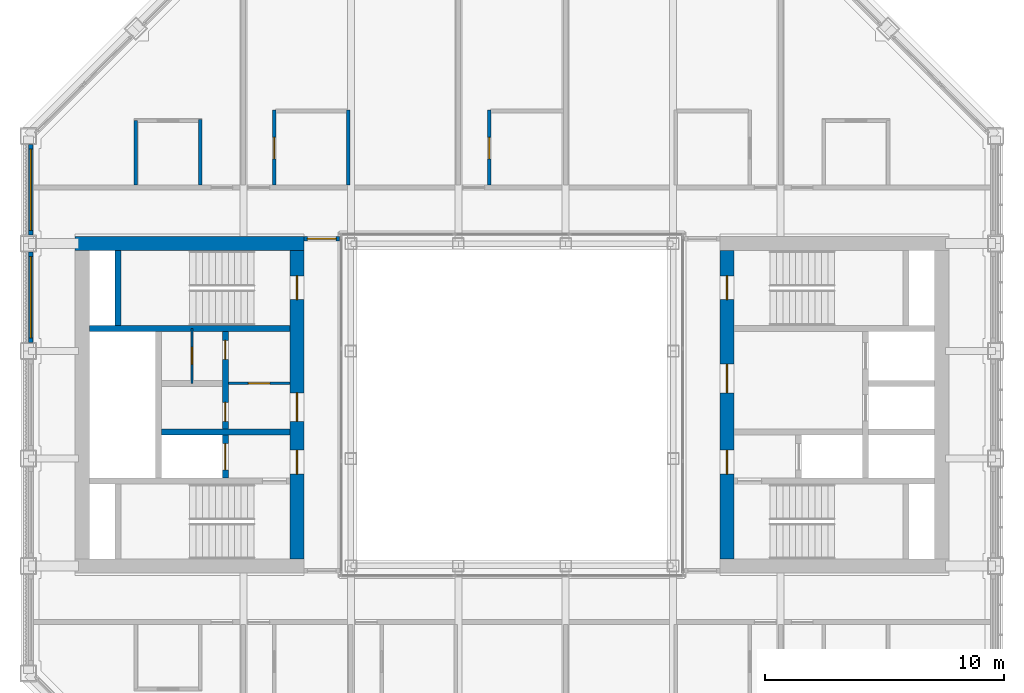
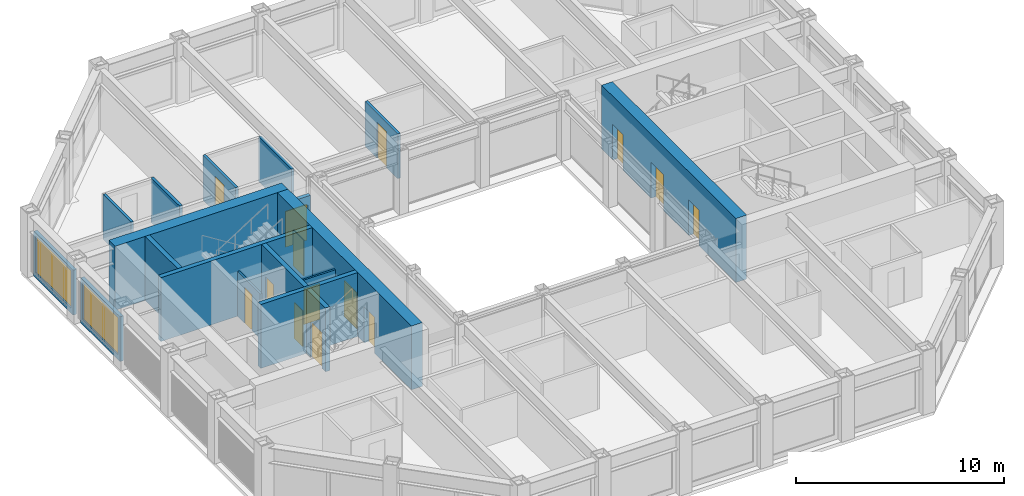
# One storey, part 10 of 16: 17 walls, 14 doors, 2 windows, 16 openings.
"""IFC4 building model written with IfcOpenShell, lengths in metres."""

import ifcopenshell
import ifcopenshell.guid

model = None  # the IFC model being written
_history = None  # IfcOwnerHistory: only IFC2X3 demands one
_inside = {}  # id of a spatial element -> (the spatial element, [elements in it])
_under = {}  # id of a project, library or spatial element -> (it, [spatial elements below it])
_declared = {}  # id of a project -> (the project, [libraries it declares])
_typed = {}  # id of a type object -> (the type object, [elements of that type])
_made_of = {}  # id of a material, layer set ... -> (it, [elements and type objects made of it])


def new_model(schema):
    """Start an empty IFC model of exactly this schema.

    Asked for "IFC4X3", IfcOpenShell would pick the latest addendum, in which some entities
    have other attributes; the version numbers below select the first issue.
    IFC2X3 requires an IfcOwnerHistory on every rooted entity: one is made here for all.
    """
    global model, _history
    if schema == "IFC4X3":
        model = ifcopenshell.file(schema_version=(4, 3, 0, 0))
    else:
        model = ifcopenshell.file(schema=schema)
    _inside.clear()
    _under.clear()
    _declared.clear()
    _typed.clear()
    _made_of.clear()
    _history = None
    if model.schema == "IFC2X3":
        org = make("IfcOrganization", Name="unknown")
        user = make(
            "IfcPersonAndOrganization",
            ThePerson=make("IfcPerson", FamilyName="unknown"),
            TheOrganization=org,
        )
        app = make(
            "IfcApplication",
            ApplicationDeveloper=org,
            Version="unknown",
            ApplicationFullName="unknown",
            ApplicationIdentifier="unknown",
        )
        _history = make(
            "IfcOwnerHistory",
            OwningUser=user,
            OwningApplication=app,
            ChangeAction="ADDED",
            CreationDate=0,
        )
    return model


def make(cls, **values):
    """One entity of the class cls with the attributes given. An attribute that is None is left unset."""
    return model.create_entity(
        cls, **{name: value for name, value in values.items() if value is not None}
    )


def rooted(cls, **values):
    """An entity with a GlobalId (a new one), such as an element, a storey or a relation."""
    return make(cls, GlobalId=ifcopenshell.guid.new(), OwnerHistory=_history, **values)


def si_unit(unit_type, name, prefix=None):
    """IfcSIUnit, for example si_unit("LENGTHUNIT", "METRE", prefix="MILLI")."""
    return make("IfcSIUnit", UnitType=unit_type, Prefix=prefix, Name=name)


def assignment(units):
    """IfcUnitAssignment: the units of a project."""
    return None if units is None else make("IfcUnitAssignment", Units=units)


def point(xyz):
    """IfcCartesianPoint."""
    return None if xyz is None else make("IfcCartesianPoint", Coordinates=xyz)


def direction(xyz):
    """IfcDirection."""
    return None if xyz is None else make("IfcDirection", DirectionRatios=xyz)


def frame(location, z_axis=None, x_axis=None):
    """IfcAxis2Placement3D, a coordinate frame: its origin and axes. An axis left out is left unset."""
    return make(
        "IfcAxis2Placement3D",
        Location=point(location),
        Axis=direction(z_axis),
        RefDirection=direction(x_axis),
    )


def frame_2d(location, x_axis=None):
    """IfcAxis2Placement2D, a coordinate frame in the plane: its origin and x axis."""
    return make(
        "IfcAxis2Placement2D", Location=point(location), RefDirection=direction(x_axis)
    )


def origin():
    """The frame at (0, 0, 0) with its axes left unset."""
    return frame((0.0, 0.0, 0.0))


def place(relative_to, where):
    """IfcLocalPlacement: puts the frame where relative to a parent placement (None: the world)."""
    return make(
        "IfcLocalPlacement", PlacementRelTo=relative_to, RelativePlacement=where
    )


def context(
    kind, dimensions, precision=None, world=None, true_north=None, identifier=None
):
    """IfcGeometricRepresentationContext, for example the 3D "Model" context."""
    return make(
        "IfcGeometricRepresentationContext",
        ContextIdentifier=identifier,
        ContextType=kind,
        CoordinateSpaceDimension=dimensions,
        Precision=precision,
        WorldCoordinateSystem=world,
        TrueNorth=true_north,
    )


def subcontext(parent, identifier, kind, view, scale=None):
    """IfcGeometricRepresentationSubContext, for example "Body" below "Model"."""
    return make(
        "IfcGeometricRepresentationSubContext",
        ContextIdentifier=identifier,
        ContextType=kind,
        ParentContext=parent,
        TargetScale=scale,
        TargetView=view,
    )


def project(units=None, contexts=None):
    """IfcProject with its units and contexts."""
    return rooted(
        "IfcProject",
        Name="project",
        RepresentationContexts=contexts,
        UnitsInContext=assignment(units),
    )


def spatial(cls, under=None, at=None, **own):
    """A site, building, storey or space (cls), placed at a placement, below another one or the project."""
    s = rooted(cls, ObjectPlacement=at, **own)
    if under is not None:
        _under.setdefault(under.id(), (under, []))[1].append(s)
    return s


def profile(cls, at=None, kind="AREA", **sizes):
    """A parametric profile (cls). Its sizes go by their IFC names, for example OverallWidth=200.0."""
    return make(cls, ProfileType=kind, Position=at, **sizes)


def rectangle(**sizes):
    """IfcRectangleProfileDef."""
    return profile("IfcRectangleProfileDef", **sizes)


def extrude(swept, where, along, depth):
    """IfcExtrudedAreaSolid: the profile swept, set in the frame where, extruded along a direction by depth."""
    return make(
        "IfcExtrudedAreaSolid",
        SweptArea=swept,
        Position=where,
        ExtrudedDirection=direction(along),
        Depth=depth,
    )


def shape(context_of_items, identifier, shape_type, items):
    """IfcShapeRepresentation: the items that make up one representation, for example the "Body"."""
    return make(
        "IfcShapeRepresentation",
        ContextOfItems=context_of_items,
        RepresentationIdentifier=identifier,
        RepresentationType=shape_type,
        Items=items,
    )


def material(Name=None, Category=None):
    """IfcMaterial."""
    return make("IfcMaterial", Name=Name, Category=Category)


def layer(
    of_material, thickness, ventilated=None, Name=None, Category=None, Priority=None
):
    """IfcMaterialLayer: one layer of a wall or slab, of a material (None: an air gap)."""
    return make(
        "IfcMaterialLayer",
        Material=of_material,
        LayerThickness=thickness,
        IsVentilated=ventilated,
        Name=Name,
        Category=Category,
        Priority=Priority,
    )


def layer_set(layers, Name=None):
    """IfcMaterialLayerSet."""
    return make("IfcMaterialLayerSet", MaterialLayers=layers, LayerSetName=Name)


def made_of(thing, what):
    """Note that an element or type object is made of a material, layer set ...; save() writes the relation."""
    if what is not None:
        _made_of.setdefault(what.id(), (what, []))[1].append(thing)
    return thing


def type_object(cls, material=None, **own):
    """A type object (cls), such as IfcWallType, which elements share."""
    return made_of(rooted(cls, **own), material)


def element(
    cls,
    number,
    at=None,
    inside=None,
    cuts=None,
    type_object=None,
    material=None,
    context=None,
    identifier="Body",
    shape_type=None,
    held_by="IfcProductDefinitionShape",
    body=None,
    shapes=None,
    **own,
):
    """One element of the class cls, such as IfcWall. Its Tag is "e" and its number.

    at: its placement. inside: the storey or other place that contains it. cuts: it is an
    opening in that element (IfcRelVoidsElement). A single representation is given by context,
    identifier, shape_type and body (its items); several are given by shapes. held_by: the class
    of the entity that holds the representations. save() writes the other relations.
    """
    e = rooted(cls, Tag="e%d" % number, ObjectPlacement=at, **own)
    if body is not None:
        shapes = [shape(context, identifier, shape_type, body)]
    if shapes is not None:
        e.Representation = make(held_by, Representations=shapes)
    if inside is not None:
        _inside.setdefault(inside.id(), (inside, []))[1].append(e)
    if cuts is not None:
        rooted(
            "IfcRelVoidsElement", RelatingBuildingElement=cuts, RelatedOpeningElement=e
        )
    if type_object is not None:
        _typed.setdefault(type_object.id(), (type_object, []))[1].append(e)
    return made_of(e, material)


def fill(opening, filler):
    """IfcRelFillsElement: the door or window that sits in an opening."""
    return rooted(
        "IfcRelFillsElement",
        RelatingOpeningElement=opening,
        RelatedBuildingElement=filler,
    )


def aggregate(whole, parts):
    """IfcRelAggregates: a whole, such as a stair, and the parts it consists of."""
    return rooted("IfcRelAggregates", RelatingObject=whole, RelatedObjects=parts)


def save(model, path):
    """Write the relations noted so far, then the file.

    IfcRelAggregates (storeys below a building ...), IfcRelContainedInSpatialStructure (elements
    in a storey), IfcRelDefinesByType, IfcRelAssociatesMaterial and IfcRelDeclares: one each for
    every whole, place, type object, material and project.
    """
    for whole, parts in _under.values():
        aggregate(whole, parts)
    for where, things in _inside.values():
        rooted(
            "IfcRelContainedInSpatialStructure",
            RelatedElements=things,
            RelatingStructure=where,
        )
    for kind, things in _typed.values():
        rooted("IfcRelDefinesByType", RelatedObjects=things, RelatingType=kind)
    for what, things in _made_of.values():
        rooted("IfcRelAssociatesMaterial", RelatedObjects=things, RelatingMaterial=what)
    for by, libraries in _declared.values():
        rooted("IfcRelDeclares", RelatingContext=by, RelatedDefinitions=libraries)
    model.write(path)


model = new_model("IFC4")

# Units and contexts
model_context = context("Model", 3, precision=1e-05, world=origin(), true_north=direction((0.0, 1.0)))
body_context = subcontext(model_context, "Body", "Model", "MODEL_VIEW")
ifc_project = project(units=[si_unit("LENGTHUNIT", "METRE"), si_unit("AREAUNIT", "SQUARE_METRE"), si_unit("VOLUMEUNIT", "CUBIC_METRE"), si_unit("PLANEANGLEUNIT", "RADIAN"), si_unit("MASSUNIT", "GRAM", prefix="KILO")], contexts=[model_context])

# Site, building, storey
site_placement = place(None, origin())
site = spatial("IfcSite", under=ifc_project, at=site_placement, CompositionType="ELEMENT")
building_placement = place(site_placement, origin())
building = spatial("IfcBuilding", under=site, at=building_placement, Name="Msasa Ring Tower", CompositionType="ELEMENT")
storey_placement = place(building_placement, frame((0.0, 0.0, 219.550048828125)))
storey = spatial("IfcBuildingStorey", under=building, at=storey_placement, Name="L57", CompositionType="ELEMENT", Elevation=219.550048828125)

# Wall, openings, doors
ifc_material_1 = material(Name="Concrete C60/75", Category="concrete")
ifc_layer_1 = layer(ifc_material_1, 0.60009765625)
ifc_layer_set_1 = layer_set([ifc_layer_1], Name="CW3 CORE WALL 600")
wall_type_1 = type_object("IfcWallType", Name="CW3 CORE WALL 600", PredefinedType="SHEAR", material=ifc_layer_set_1)
wall_1_placement = place(storey_placement, frame((9.0, -6.449951171875, 0.0), z_axis=(0.0, 0.0, 1.0), x_axis=(0.0, 1.0, 0.0)))
wall_1 = element("IfcWall", 1, at=wall_1_placement, inside=storey, type_object=wall_type_1, Name="E core wall W L57", PredefinedType="SHEAR", context=body_context, shape_type="SweptSolid", body=[
    extrude(rectangle(XDim=12.89990234375, YDim=0.60009765625, at=frame_2d((6.449951171875, 0.0))), origin(), (0.0, 0.0, 1.0), 3.75),
])
opening_1_placement = place(wall_1_placement, frame((3.550048828125, 0.0, 0.0)))
opening_1 = element("IfcOpeningElement", 2, at=opening_1_placement, cuts=wall_1, Name="Opening SB-022", PredefinedType="OPENING", context=body_context, shape_type="SweptSolid", body=[
    extrude(rectangle(XDim=1.0, YDim=2.10009765625, at=frame_2d((0.5, 1.050048828125))), frame((0.0, 0.31005859375, 0.0), z_axis=(0.0, -1.0, 0.0), x_axis=(1.0, 0.0, 0.0)), (0.0, 0.0, 1.0), 0.6201171875),
])
opening_2_placement = place(wall_1_placement, frame((6.949951171875, 0.0, 0.0)))
opening_2 = element("IfcOpeningElement", 3, at=opening_2_placement, cuts=wall_1, Name="Opening SB-017", PredefinedType="OPENING", context=body_context, shape_type="SweptSolid", body=[
    extrude(rectangle(XDim=1.199951171875, YDim=2.10009765625, at=frame_2d((0.60009765625, 1.050048828125))), frame((0.0, 0.31005859375, 0.0), z_axis=(0.0, -1.0, 0.0), x_axis=(1.0, 0.0, 0.0)), (0.0, 0.0, 1.0), 0.6201171875),
])
opening_3_placement = place(wall_1_placement, frame((10.85009765625, 0.0, 0.0)))
opening_3 = element("IfcOpeningElement", 4, at=opening_3_placement, cuts=wall_1, Name="Opening SB-014", PredefinedType="OPENING", context=body_context, shape_type="SweptSolid", body=[
    extrude(rectangle(XDim=1.0, YDim=2.10009765625, at=frame_2d((0.5, 1.050048828125))), frame((0.0, 0.31005859375, 0.0), z_axis=(0.0, -1.0, 0.0), x_axis=(1.0, 0.0, 0.0)), (0.0, 0.0, 1.0), 0.6201171875),
])
ifc_material_2 = material(Name="Timber door leaf in a steel frame", Category="steel")
door_type_1 = type_object("IfcDoorType", Name="D4 LOBBY DOOR 1000x2100", OperationType="SINGLE_SWING_LEFT", PredefinedType="DOOR", material=ifc_material_2)
door_1_placement = place(opening_1_placement, origin())
door_1 = element("IfcDoor", 5, at=door_1_placement, inside=storey, type_object=door_type_1, Name="Door L57-EFFL", OperationType="SINGLE_SWING_LEFT", OverallHeight=2.10009765625, OverallWidth=1.0, PredefinedType="DOOR", context=body_context, shape_type="SweptSolid", body=[
    extrude(rectangle(XDim=1.0, YDim=2.10009765625, at=frame_2d((0.5, 1.050048828125))), frame((0.0, 0.02490234375, 0.0), z_axis=(0.0, -1.0, 0.0), x_axis=(1.0, 0.0, 0.0)), (0.0, 0.0, 1.0), 0.050048828125),
])
fill(opening_1, door_1)
ifc_material_3 = material(Name="Timber door leaf in a steel frame", Category="steel")
door_type_2 = type_object("IfcDoorType", Name="D5 WIDE LOBBY DOOR 1200x2100", OperationType="SINGLE_SWING_LEFT", PredefinedType="DOOR", material=ifc_material_3)
door_2_placement = place(opening_2_placement, origin())
door_2 = element("IfcDoor", 6, at=door_2_placement, inside=storey, type_object=door_type_2, Name="Door L57-ELL", OperationType="SINGLE_SWING_RIGHT", OverallHeight=2.10009765625, OverallWidth=1.199951171875, PredefinedType="DOOR", context=body_context, shape_type="SweptSolid", body=[
    extrude(rectangle(XDim=1.199951171875, YDim=2.10009765625, at=frame_2d((0.60009765625, 1.050048828125))), frame((0.0, 0.02490234375, 0.0), z_axis=(0.0, -1.0, 0.0), x_axis=(1.0, 0.0, 0.0)), (0.0, 0.0, 1.0), 0.050048828125),
])
fill(opening_2, door_2)
ifc_material_4 = material(Name="Timber door leaf in a steel frame", Category="steel")
door_type_3 = type_object("IfcDoorType", Name="D6 STAIR DOOR 1000x2100", OperationType="SINGLE_SWING_LEFT", PredefinedType="DOOR", material=ifc_material_4)
door_3_placement = place(opening_3_placement, origin())
door_3 = element("IfcDoor", 7, at=door_3_placement, inside=storey, type_object=door_type_3, Name="Door L57-ESTB", OperationType="SINGLE_SWING_RIGHT", OverallHeight=2.10009765625, OverallWidth=1.0, PredefinedType="DOOR", context=body_context, shape_type="SweptSolid", body=[
    extrude(rectangle(XDim=1.0, YDim=2.10009765625, at=frame_2d((0.5, 1.050048828125))), frame((0.0, 0.02490234375, 0.0), z_axis=(0.0, -1.0, 0.0), x_axis=(1.0, 0.0, 0.0)), (0.0, 0.0, 1.0), 0.050048828125),
])
fill(opening_3, door_3)

# Wall
wall_2_placement = place(storey_placement, frame((-8.699951171875, 6.75, 0.0), z_axis=(0.0, 0.0, 1.0), x_axis=(-1.0, 0.0, 0.0)))
element("IfcWall", 8, at=wall_2_placement, inside=storey, type_object=wall_type_1, Name="W core wall N L57", PredefinedType="SHEAR", context=body_context, shape_type="SweptSolid", body=[
    extrude(rectangle(XDim=9.60009765625, YDim=0.60009765625, at=frame_2d((4.800048828125, 0.0))), origin(), (0.0, 0.0, 1.0), 3.75),
])

# Wall, openings, doors
wall_3_placement = place(storey_placement, frame((-9.0, -6.449951171875, 0.0), z_axis=(0.0, 0.0, 1.0), x_axis=(0.0, 1.0, 0.0)))
wall_3 = element("IfcWall", 9, at=wall_3_placement, inside=storey, type_object=wall_type_1, Name="W core wall W L57", PredefinedType="SHEAR", context=body_context, shape_type="SweptSolid", body=[
    extrude(rectangle(XDim=12.89990234375, YDim=0.60009765625, at=frame_2d((6.449951171875, 0.0))), origin(), (0.0, 0.0, 1.0), 3.75),
])
opening_4_placement = place(wall_3_placement, frame((3.550048828125, 0.0, 0.0)))
opening_4 = element("IfcOpeningElement", 10, at=opening_4_placement, cuts=wall_3, Name="Opening SB-021", PredefinedType="OPENING", context=body_context, shape_type="SweptSolid", body=[
    extrude(rectangle(XDim=1.0, YDim=2.10009765625, at=frame_2d((0.5, 1.050048828125))), frame((0.0, 0.31005859375, 0.0), z_axis=(0.0, -1.0, 0.0), x_axis=(1.0, 0.0, 0.0)), (0.0, 0.0, 1.0), 0.6201171875),
])
opening_5_placement = place(wall_3_placement, frame((5.75, 0.0, 0.0)))
opening_5 = element("IfcOpeningElement", 11, at=opening_5_placement, cuts=wall_3, Name="Opening SB-019", PredefinedType="OPENING", context=body_context, shape_type="SweptSolid", body=[
    extrude(rectangle(XDim=1.199951171875, YDim=2.10009765625, at=frame_2d((0.60009765625, 1.050048828125))), frame((0.0, 0.31005859375, 0.0), z_axis=(0.0, -1.0, 0.0), x_axis=(1.0, 0.0, 0.0)), (0.0, 0.0, 1.0), 0.6201171875),
])
opening_6_placement = place(wall_3_placement, frame((10.85009765625, 0.0, 0.0)))
opening_6 = element("IfcOpeningElement", 12, at=opening_6_placement, cuts=wall_3, Name="Opening SB-013", PredefinedType="OPENING", context=body_context, shape_type="SweptSolid", body=[
    extrude(rectangle(XDim=1.0, YDim=2.10009765625, at=frame_2d((0.5, 1.050048828125))), frame((0.0, 0.31005859375, 0.0), z_axis=(0.0, -1.0, 0.0), x_axis=(1.0, 0.0, 0.0)), (0.0, 0.0, 1.0), 0.6201171875),
])
door_4_placement = place(opening_4_placement, origin())
door_4 = element("IfcDoor", 13, at=door_4_placement, inside=storey, type_object=door_type_1, Name="Door L57-WFFL", OperationType="SINGLE_SWING_LEFT", OverallHeight=2.10009765625, OverallWidth=1.0, PredefinedType="DOOR", context=body_context, shape_type="SweptSolid", body=[
    extrude(rectangle(XDim=1.0, YDim=2.10009765625, at=frame_2d((0.5, 1.050048828125))), frame((0.0, 0.02490234375, 0.0), z_axis=(0.0, -1.0, 0.0), x_axis=(1.0, 0.0, 0.0)), (0.0, 0.0, 1.0), 0.050048828125),
])
fill(opening_4, door_4)
door_5_placement = place(opening_5_placement, origin())
door_5 = element("IfcDoor", 14, at=door_5_placement, inside=storey, type_object=door_type_2, Name="Door L57-WLL", OperationType="SINGLE_SWING_LEFT", OverallHeight=2.10009765625, OverallWidth=1.199951171875, PredefinedType="DOOR", context=body_context, shape_type="SweptSolid", body=[
    extrude(rectangle(XDim=1.199951171875, YDim=2.10009765625, at=frame_2d((0.60009765625, 1.050048828125))), frame((0.0, 0.02490234375, 0.0), z_axis=(0.0, -1.0, 0.0), x_axis=(1.0, 0.0, 0.0)), (0.0, 0.0, 1.0), 0.050048828125),
])
fill(opening_5, door_5)
door_6_placement = place(opening_6_placement, origin())
door_6 = element("IfcDoor", 15, at=door_6_placement, inside=storey, type_object=door_type_3, Name="Door L57-WSTB", OperationType="SINGLE_SWING_RIGHT", OverallHeight=2.10009765625, OverallWidth=1.0, PredefinedType="DOOR", context=body_context, shape_type="SweptSolid", body=[
    extrude(rectangle(XDim=1.0, YDim=2.10009765625, at=frame_2d((0.5, 1.050048828125))), frame((0.0, 0.02490234375, 0.0), z_axis=(0.0, -1.0, 0.0), x_axis=(1.0, 0.0, 0.0)), (0.0, 0.0, 1.0), 0.050048828125),
])
fill(opening_6, door_6)

# Walls
ifc_material_5 = material(Name="Concrete C60/75", Category="concrete")
ifc_layer_2 = layer(ifc_material_5, 0.25)
ifc_layer_set_2 = layer_set([ifc_layer_2], Name="CW4 CORE INNER WALL 250")
wall_type_2 = type_object("IfcWallType", Name="CW4 CORE INNER WALL 250", PredefinedType="SHEAR", material=ifc_layer_set_2)
wall_4_placement = place(storey_placement, frame((-9.300048828125, 3.199951171875, 0.0), z_axis=(0.0, 0.0, 1.0), x_axis=(-1.0, 0.0, 0.0)))
element("IfcWall", 16, at=wall_4_placement, inside=storey, type_object=wall_type_2, Name="W core wall STAIRB L57", PredefinedType="SHEAR", context=body_context, shape_type="SweptSolid", body=[
    extrude(rectangle(XDim=8.39990234375, YDim=0.25, at=frame_2d((4.199951171875, 0.0))), origin(), (0.0, 0.0, 1.0), 3.75),
])
wall_5_placement = place(storey_placement, frame((-16.5, 3.324951171875, 0.0), z_axis=(0.0, 0.0, 1.0), x_axis=(0.0, 1.0, 0.0)))
element("IfcWall", 17, at=wall_5_placement, inside=storey, type_object=wall_type_2, Name="W core wall RISERB L57", PredefinedType="SHEAR", context=body_context, shape_type="SweptSolid", body=[
    extrude(rectangle(XDim=3.125, YDim=0.25, at=frame_2d((1.5625, 0.0))), origin(), (0.0, 0.0, 1.0), 3.75),
])
wall_6_placement = place(storey_placement, frame((-9.300048828125, -1.14990234375, 0.0), z_axis=(0.0, 0.0, 1.0), x_axis=(-1.0, 0.0, 0.0)))
element("IfcWall", 18, at=wall_6_placement, inside=storey, type_object=wall_type_2, Name="W core wall FFL L57", PredefinedType="SHEAR", context=body_context, shape_type="SweptSolid", body=[
    extrude(rectangle(XDim=5.375, YDim=0.25, at=frame_2d((2.6875, 0.0))), origin(), (0.0, 0.0, 1.0), 3.75),
])

# Wall, openings, doors
wall_7_placement = place(storey_placement, frame((-12.0, -3.074951171875, 0.0), z_axis=(0.0, 0.0, 1.0), x_axis=(0.0, 1.0, 0.0)))
wall_7 = element("IfcWall", 19, at=wall_7_placement, inside=storey, type_object=wall_type_2, Name="W core wall LOBBY L57", PredefinedType="SHEAR", context=body_context, shape_type="SweptSolid", body=[
    extrude(rectangle(XDim=6.14990234375, YDim=0.25, at=frame_2d((3.074951171875, 0.0))), origin(), (0.0, 0.0, 1.0), 3.75),
])
opening_7_placement = place(wall_7_placement, frame((2.375, 0.0, 0.0)))
opening_7 = element("IfcOpeningElement", 20, at=opening_7_placement, cuts=wall_7, Name="Opening SB-020", PredefinedType="OPENING", context=body_context, shape_type="SweptSolid", body=[
    extrude(rectangle(XDim=0.800048828125, YDim=2.10009765625, at=frame_2d((0.39990234375, 1.050048828125))), frame((0.0, 0.135009765625, 0.0), z_axis=(0.0, -1.0, 0.0), x_axis=(1.0, 0.0, 0.0)), (0.0, 0.0, 1.0), 0.27001953125),
])
opening_8_placement = place(wall_7_placement, frame((4.97509765625, 0.0, 0.0)))
opening_8 = element("IfcOpeningElement", 21, at=opening_8_placement, cuts=wall_7, Name="Opening SB-015", PredefinedType="OPENING", context=body_context, shape_type="SweptSolid", body=[
    extrude(rectangle(XDim=0.800048828125, YDim=2.10009765625, at=frame_2d((0.39990234375, 1.050048828125))), frame((0.0, 0.135009765625, 0.0), z_axis=(0.0, -1.0, 0.0), x_axis=(1.0, 0.0, 0.0)), (0.0, 0.0, 1.0), 0.27001953125),
])
opening_9_placement = place(wall_7_placement, frame((0.35009765625, 0.0, 0.0)))
opening_9 = element("IfcOpeningElement", 22, at=opening_9_placement, cuts=wall_7, Name="Opening LD1", PredefinedType="OPENING", context=body_context, shape_type="SweptSolid", body=[
    extrude(rectangle(XDim=1.10009765625, YDim=2.10009765625, at=frame_2d((0.550048828125, 1.050048828125))), frame((0.0, 0.135009765625, 0.0), z_axis=(0.0, -1.0, 0.0), x_axis=(1.0, 0.0, 0.0)), (0.0, 0.0, 1.0), 0.27001953125),
])
ifc_material_6 = material(Name="Timber door leaf in a steel frame", Category="steel")
door_type_4 = type_object("IfcDoorType", Name="D9 NARROW SERVICE DOOR 800x2100", OperationType="SINGLE_SWING_LEFT", PredefinedType="DOOR", material=ifc_material_6)
door_7_placement = place(opening_7_placement, origin())
door_7 = element("IfcDoor", 23, at=door_7_placement, inside=storey, type_object=door_type_4, Name="Door L57-WR1", OperationType="SINGLE_SWING_LEFT", OverallHeight=2.10009765625, OverallWidth=0.800048828125, PredefinedType="DOOR", context=body_context, shape_type="SweptSolid", body=[
    extrude(rectangle(XDim=0.800048828125, YDim=2.10009765625, at=frame_2d((0.39990234375, 1.050048828125))), frame((0.0, 0.02490234375, 0.0), z_axis=(0.0, -1.0, 0.0), x_axis=(1.0, 0.0, 0.0)), (0.0, 0.0, 1.0), 0.050048828125),
])
fill(opening_7, door_7)
door_8_placement = place(opening_8_placement, origin())
door_8 = element("IfcDoor", 24, at=door_8_placement, inside=storey, type_object=door_type_4, Name="Door L57-WR2", OperationType="SINGLE_SWING_RIGHT", OverallHeight=2.10009765625, OverallWidth=0.800048828125, PredefinedType="DOOR", context=body_context, shape_type="SweptSolid", body=[
    extrude(rectangle(XDim=0.800048828125, YDim=2.10009765625, at=frame_2d((0.39990234375, 1.050048828125))), frame((0.0, 0.02490234375, 0.0), z_axis=(0.0, -1.0, 0.0), x_axis=(1.0, 0.0, 0.0)), (0.0, 0.0, 1.0), 0.050048828125),
])
fill(opening_8, door_8)
ifc_material_7 = material(Name="Stainless steel lift landing door", Category="steel")
door_type_5 = type_object("IfcDoorType", Name="LD1 LIFT LANDING DOOR 1100x2100", OperationType="DOUBLE_DOOR_SLIDING", PredefinedType="DOOR", material=ifc_material_7)
door_9_placement = place(opening_9_placement, origin())
door_9 = element("IfcDoor", 25, at=door_9_placement, inside=storey, type_object=door_type_5, Name="Lift landing door FL-W L57", OperationType="DOUBLE_DOOR_SLIDING", OverallHeight=2.10009765625, OverallWidth=1.10009765625, PredefinedType="DOOR", context=body_context, shape_type="SweptSolid", body=[
    extrude(rectangle(XDim=1.10009765625, YDim=2.10009765625, at=frame_2d((0.550048828125, 1.050048828125))), frame((0.0, 0.02490234375, 0.0), z_axis=(0.0, -1.0, 0.0), x_axis=(1.0, 0.0, 0.0)), (0.0, 0.0, 1.0), 0.050048828125),
])
fill(opening_9, door_9)

# Wall, opening, window
ifc_material_8 = material(Name="Terracotta rainscreen on blockwork", Category="masonry")
ifc_layer_3 = layer(ifc_material_8, 0.199951171875)
ifc_layer_set_3 = layer_set([ifc_layer_3], Name="FW1 TERRACOTTA-LINED INFILL BAY WALL 200")
wall_type_3 = type_object("IfcWallType", Name="FW1 TERRACOTTA-LINED INFILL BAY WALL 200", PredefinedType="SOLIDWALL", material=ifc_layer_set_3)
wall_8_placement = place(storey_placement, frame((-20.14990234375, 2.60498046875, 0.0), z_axis=(0.0, 0.0, 1.0), x_axis=(0.0, 1.0, 0.0)))
wall_8 = element("IfcWall", 26, at=wall_8_placement, inside=storey, type_object=wall_type_3, Name="Infill bay wall W L57 24", PredefinedType="SOLIDWALL", context=body_context, shape_type="SweptSolid", body=[
    extrude(rectangle(XDim=3.7900390625, YDim=0.199951171875, at=frame_2d((1.89501953125, 0.0))), origin(), (0.0, 0.0, 1.0), 2.62890625),
])
opening_10_placement = place(wall_8_placement, frame((0.195068359375, 0.0, 0.300048828125)))
opening_10 = element("IfcOpeningElement", 27, at=opening_10_placement, cuts=wall_8, Name="Opening WN3", PredefinedType="OPENING", context=body_context, shape_type="SweptSolid", body=[
    extrude(rectangle(XDim=3.39990234375, YDim=2.178955078125, at=frame_2d((1.699951171875, 1.08935546875))), frame((0.0, 0.10986328125, 0.0), z_axis=(0.0, -1.0, 0.0), x_axis=(1.0, 0.0, 0.0)), (0.0, 0.0, 1.0), 0.219970703125),
])
ifc_material_9 = material(Name="Aluminium frame with clear glass", Category="aluminium")
window_type = type_object("IfcWindowType", Name="WN3 SUITE WINDOW 3400x2179", PartitioningType="SINGLE_PANEL", PredefinedType="WINDOW", material=ifc_material_9)
window_1_placement = place(opening_10_placement, origin())
window_1 = element("IfcWindow", 28, at=window_1_placement, inside=storey, type_object=window_type, Name="Window W L57 24", OverallHeight=2.178955078125, OverallWidth=3.39990234375, PartitioningType="SINGLE_PANEL", PredefinedType="WINDOW", context=body_context, shape_type="SweptSolid", body=[
    extrude(rectangle(XDim=3.39990234375, YDim=2.178955078125, at=frame_2d((1.699951171875, 1.08935546875))), frame((0.0, 0.030029296875, 0.0), z_axis=(0.0, -1.0, 0.0), x_axis=(1.0, 0.0, 0.0)), (0.0, 0.0, 1.0), 0.06005859375),
])
fill(opening_10, window_1)

wall_9_placement = place(storey_placement, frame((-20.14990234375, 7.10498046875, 0.0), z_axis=(0.0, 0.0, 1.0), x_axis=(0.0, 1.0, 0.0)))
wall_9 = element("IfcWall", 29, at=wall_9_placement, inside=storey, type_object=wall_type_3, Name="Infill bay wall W L57 25", PredefinedType="SOLIDWALL", context=body_context, shape_type="SweptSolid", body=[
    extrude(rectangle(XDim=3.7900390625, YDim=0.199951171875, at=frame_2d((1.89501953125, 0.0))), origin(), (0.0, 0.0, 1.0), 2.62890625),
])
opening_11_placement = place(wall_9_placement, frame((0.195068359375, 0.0, 0.300048828125)))
opening_11 = element("IfcOpeningElement", 30, at=opening_11_placement, cuts=wall_9, Name="Opening WN3", PredefinedType="OPENING", context=body_context, shape_type="SweptSolid", body=[
    extrude(rectangle(XDim=3.39990234375, YDim=2.178955078125, at=frame_2d((1.699951171875, 1.08935546875))), frame((0.0, 0.10986328125, 0.0), z_axis=(0.0, -1.0, 0.0), x_axis=(1.0, 0.0, 0.0)), (0.0, 0.0, 1.0), 0.219970703125),
])
window_2_placement = place(opening_11_placement, origin())
window_2 = element("IfcWindow", 31, at=window_2_placement, inside=storey, type_object=window_type, Name="Window W L57 25", OverallHeight=2.178955078125, OverallWidth=3.39990234375, PartitioningType="SINGLE_PANEL", PredefinedType="WINDOW", context=body_context, shape_type="SweptSolid", body=[
    extrude(rectangle(XDim=3.39990234375, YDim=2.178955078125, at=frame_2d((1.699951171875, 1.08935546875))), frame((0.0, 0.030029296875, 0.0), z_axis=(0.0, -1.0, 0.0), x_axis=(1.0, 0.0, 0.0)), (0.0, 0.0, 1.0), 0.06005859375),
])
fill(opening_11, window_2)

# Wall, opening, door
ifc_material_10 = material(Name="Concrete blockwork", Category="masonry")
ifc_layer_4 = layer(ifc_material_10, 0.199951171875)
ifc_layer_set_4 = layer_set([ifc_layer_4], Name="PT1 CORRIDOR WALL 200")
wall_type_4 = type_object("IfcWallType", Name="PT1 CORRIDOR WALL 200", PredefinedType="PARTITIONING", material=ifc_layer_set_4)
wall_10_placement = place(storey_placement, frame((-8.699951171875, 6.949951171875, 0.0), z_axis=(0.0, 0.0, 1.0), x_axis=(1.0, 0.0, 0.0)))
wall_10 = element("IfcWall", 32, at=wall_10_placement, inside=storey, type_object=wall_type_4, Name="Corridor wall L57-SDWN", PredefinedType="PARTITIONING", context=body_context, shape_type="SweptSolid", body=[
    extrude(rectangle(XDim=1.469970703125, YDim=0.199951171875, at=frame_2d((0.73486328125, 0.0))), origin(), (0.0, 0.0, 1.0), 2.62890625),
])
opening_12_placement = place(wall_10_placement, frame((0.135009765625, 0.0, 0.0)))
opening_12 = element("IfcOpeningElement", 33, at=opening_12_placement, cuts=wall_10, Name="Opening SB-011", PredefinedType="OPENING", context=body_context, shape_type="SweptSolid", body=[
    extrude(rectangle(XDim=1.199951171875, YDim=2.10009765625, at=frame_2d((0.60009765625, 1.050048828125))), frame((0.0, 0.10986328125, 0.0), z_axis=(0.0, -1.0, 0.0), x_axis=(1.0, 0.0, 0.0)), (0.0, 0.0, 1.0), 0.219970703125),
])
ifc_material_11 = material(Name="Timber door leaf in a steel frame", Category="steel")
door_type_6 = type_object("IfcDoorType", Name="D25 CORRIDOR PAIR OF SMOKE DOORS 1200x2100", OperationType="DOUBLE_DOOR_DOUBLE_SWING", PredefinedType="DOOR", material=ifc_material_11)
door_10_placement = place(opening_12_placement, origin())
door_10 = element("IfcDoor", 34, at=door_10_placement, inside=storey, type_object=door_type_6, Name="Door L57-SDWN", OperationType="DOUBLE_DOOR_DOUBLE_SWING", OverallHeight=2.10009765625, OverallWidth=1.199951171875, PredefinedType="DOOR", context=body_context, shape_type="SweptSolid", body=[
    extrude(rectangle(XDim=1.199951171875, YDim=2.10009765625, at=frame_2d((0.60009765625, 1.050048828125))), frame((0.0, 0.02490234375, 0.0), z_axis=(0.0, -1.0, 0.0), x_axis=(1.0, 0.0, 0.0)), (0.0, 0.0, 1.0), 0.050048828125),
])
fill(opening_12, door_10)

ifc_material_12 = material(Name="Gypsum board on steel studs", Category="steel")
ifc_layer_5 = layer(ifc_material_12, 0.10009765625)
ifc_layer_set_5 = layer_set([ifc_layer_5], Name="PT2 STUD PARTITION 100")
wall_type_5 = type_object("IfcWallType", Name="PT2 STUD PARTITION 100", PredefinedType="PARTITIONING", material=ifc_layer_set_5)
wall_11_placement = place(storey_placement, frame((-11.875, 0.89990234375, 0.0), z_axis=(0.0, 0.0, 1.0), x_axis=(1.0, 0.0, 0.0)))
wall_11 = element("IfcWall", 35, at=wall_11_placement, inside=storey, type_object=wall_type_5, Name="Partition L57-WCP", PredefinedType="PARTITIONING", context=body_context, shape_type="SweptSolid", body=[
    extrude(rectangle(XDim=2.574951171875, YDim=0.10009765625, at=frame_2d((1.28759765625, 0.0))), origin(), (0.0, 0.0, 1.0), 2.62890625),
])
opening_13_placement = place(wall_11_placement, frame((0.83740234375, 0.0, 0.0)))
opening_13 = element("IfcOpeningElement", 36, at=opening_13_placement, cuts=wall_11, Name="Opening SB-018", PredefinedType="OPENING", context=body_context, shape_type="SweptSolid", body=[
    extrude(rectangle(XDim=0.89990234375, YDim=2.10009765625, at=frame_2d((0.449951171875, 1.050048828125))), frame((0.0, 0.06005859375, 0.0), z_axis=(0.0, -1.0, 0.0), x_axis=(1.0, 0.0, 0.0)), (0.0, 0.0, 1.0), 0.1201171875),
])
ifc_material_13 = material(Name="Timber door leaf in a steel frame", Category="steel")
door_type_7 = type_object("IfcDoorType", Name="D22 INTERNAL HALL DOOR 900x2100", OperationType="SINGLE_SWING_LEFT", PredefinedType="DOOR", material=ifc_material_13)
door_11_placement = place(opening_13_placement, origin())
door_11 = element("IfcDoor", 37, at=door_11_placement, inside=storey, type_object=door_type_7, Name="Door L57-WCP", OperationType="SINGLE_SWING_LEFT", OverallHeight=2.10009765625, OverallWidth=0.89990234375, PredefinedType="DOOR", context=body_context, shape_type="SweptSolid", body=[
    extrude(rectangle(XDim=0.89990234375, YDim=2.10009765625, at=frame_2d((0.449951171875, 1.050048828125))), frame((0.0, 0.02490234375, 0.0), z_axis=(0.0, -1.0, 0.0), x_axis=(1.0, 0.0, 0.0)), (0.0, 0.0, 1.0), 0.050048828125),
])
fill(opening_13, door_11)

wall_12_placement = place(storey_placement, frame((-13.39990234375, 0.89990234375, 0.0), z_axis=(0.0, 0.0, 1.0), x_axis=(0.0, 1.0, 0.0)))
wall_12 = element("IfcWall", 38, at=wall_12_placement, inside=storey, type_object=wall_type_5, Name="Partition L57-WRP2", PredefinedType="PARTITIONING", context=body_context, shape_type="SweptSolid", body=[
    extrude(rectangle(XDim=2.300048828125, YDim=0.10009765625, at=frame_2d((1.14990234375, 0.0))), origin(), (0.0, 0.0, 1.0), 2.62890625),
])
opening_14_placement = place(wall_12_placement, frame((0.800048828125, 0.0, 0.0)))
opening_14 = element("IfcOpeningElement", 39, at=opening_14_placement, cuts=wall_12, Name="Opening SB-016", PredefinedType="OPENING", context=body_context, shape_type="SweptSolid", body=[
    extrude(rectangle(XDim=0.699951171875, YDim=2.10009765625, at=frame_2d((0.35009765625, 1.050048828125))), frame((0.0, 0.06005859375, 0.0), z_axis=(0.0, -1.0, 0.0), x_axis=(1.0, 0.0, 0.0)), (0.0, 0.0, 1.0), 0.1201171875),
])
ifc_material_14 = material(Name="Timber door leaf in a steel frame", Category="steel")
door_type_8 = type_object("IfcDoorType", Name="D32 INTERNAL NARROW STORE DOOR 700x2100", OperationType="SINGLE_SWING_LEFT", PredefinedType="DOOR", material=ifc_material_14)
door_12_placement = place(opening_14_placement, origin())
door_12 = element("IfcDoor", 40, at=door_12_placement, inside=storey, type_object=door_type_8, Name="Door L57-WRC2", OperationType="SINGLE_SWING_LEFT", OverallHeight=2.10009765625, OverallWidth=0.699951171875, PredefinedType="DOOR", context=body_context, shape_type="SweptSolid", body=[
    extrude(rectangle(XDim=0.699951171875, YDim=2.10009765625, at=frame_2d((0.35009765625, 1.050048828125))), frame((0.0, 0.02490234375, 0.0), z_axis=(0.0, -1.0, 0.0), x_axis=(1.0, 0.0, 0.0)), (0.0, 0.0, 1.0), 0.050048828125),
])
fill(opening_14, door_12)

ifc_material_15 = material(Name="Moisture-resistant board on steel studs with a concealed cistern and pipe void, tiled", Category="steel")
ifc_layer_6 = layer(ifc_material_15, 0.14990234375)
ifc_layer_set_6 = layer_set([ifc_layer_6], Name="PT4 BATHROOM WET WALL 150")
wall_type_6 = type_object("IfcWallType", Name="PT4 BATHROOM WET WALL 150", PredefinedType="PARTITIONING", material=ifc_layer_set_6)
wall_13_placement = place(storey_placement, frame((-9.949951171875, 9.199951171875, 0.0), z_axis=(0.0, 0.0, 1.0), x_axis=(0.0, 1.0, 0.0)))
wall_13 = element("IfcWall", 41, at=wall_13_placement, inside=storey, type_object=wall_type_6, Name="Partition L57-JN00BX", PredefinedType="PARTITIONING", context=body_context, shape_type="SweptSolid", body=[
    extrude(rectangle(XDim=3.150146484375, YDim=0.14990234375, at=frame_2d((1.5751953125, 0.0))), origin(), (0.0, 0.0, 1.0), 2.62890625),
])
opening_15_placement = place(wall_13_placement, frame((1.10009765625, 0.0, 0.0)))
opening_15 = element("IfcOpeningElement", 42, at=opening_15_placement, cuts=wall_13, Name="Opening SB-003", PredefinedType="OPENING", context=body_context, shape_type="SweptSolid", body=[
    extrude(rectangle(XDim=0.89990234375, YDim=2.10009765625, at=frame_2d((0.449951171875, 1.050048828125))), frame((0.0, 0.0849609375, 0.0), z_axis=(0.0, -1.0, 0.0), x_axis=(1.0, 0.0, 0.0)), (0.0, 0.0, 1.0), 0.169921875),
])
ifc_material_16 = material(Name="Timber door leaf in a steel frame", Category="steel")
door_type_9 = type_object("IfcDoorType", Name="D3 BATHROOM DOOR 900x2100", OperationType="SINGLE_SWING_LEFT", PredefinedType="DOOR", material=ifc_material_16)
door_13_placement = place(opening_15_placement, origin())
door_13 = element("IfcDoor", 43, at=door_13_placement, inside=storey, type_object=door_type_9, Name="Door L57-JN00B", OperationType="SINGLE_SWING_LEFT", OverallHeight=2.10009765625, OverallWidth=0.89990234375, PredefinedType="DOOR", context=body_context, shape_type="SweptSolid", body=[
    extrude(rectangle(XDim=0.89990234375, YDim=2.10009765625, at=frame_2d((0.449951171875, 1.050048828125))), frame((0.0, 0.02490234375, 0.0), z_axis=(0.0, -1.0, 0.0), x_axis=(1.0, 0.0, 0.0)), (0.0, 0.0, 1.0), 0.050048828125),
])
fill(opening_15, door_13)

# Wall
wall_14_placement = place(storey_placement, frame((-6.85009765625, 9.199951171875, 0.0), z_axis=(0.0, 0.0, 1.0), x_axis=(0.0, 1.0, 0.0)))
element("IfcWall", 44, at=wall_14_placement, inside=storey, type_object=wall_type_6, Name="Partition L57-JN00BF", PredefinedType="PARTITIONING", context=body_context, shape_type="SweptSolid", body=[
    extrude(rectangle(XDim=3.150146484375, YDim=0.14990234375, at=frame_2d((1.5751953125, 0.0))), origin(), (0.0, 0.0, 1.0), 2.62890625),
])

# Wall, opening, door
wall_15_placement = place(storey_placement, frame((-0.949951171875, 9.199951171875, 0.0), z_axis=(0.0, 0.0, 1.0), x_axis=(0.0, 1.0, 0.0)))
wall_15 = element("IfcWall", 45, at=wall_15_placement, inside=storey, type_object=wall_type_6, Name="Partition L57-JN01BX", PredefinedType="PARTITIONING", context=body_context, shape_type="SweptSolid", body=[
    extrude(rectangle(XDim=3.150146484375, YDim=0.14990234375, at=frame_2d((1.5751953125, 0.0))), origin(), (0.0, 0.0, 1.0), 2.62890625),
])
opening_16_placement = place(wall_15_placement, frame((1.10009765625, 0.0, 0.0)))
opening_16 = element("IfcOpeningElement", 46, at=opening_16_placement, cuts=wall_15, Name="Opening SB-004", PredefinedType="OPENING", context=body_context, shape_type="SweptSolid", body=[
    extrude(rectangle(XDim=0.89990234375, YDim=2.10009765625, at=frame_2d((0.449951171875, 1.050048828125))), frame((0.0, 0.0849609375, 0.0), z_axis=(0.0, -1.0, 0.0), x_axis=(1.0, 0.0, 0.0)), (0.0, 0.0, 1.0), 0.169921875),
])
door_14_placement = place(opening_16_placement, origin())
door_14 = element("IfcDoor", 47, at=door_14_placement, inside=storey, type_object=door_type_9, Name="Door L57-JN01B", OperationType="SINGLE_SWING_LEFT", OverallHeight=2.10009765625, OverallWidth=0.89990234375, PredefinedType="DOOR", context=body_context, shape_type="SweptSolid", body=[
    extrude(rectangle(XDim=0.89990234375, YDim=2.10009765625, at=frame_2d((0.449951171875, 1.050048828125))), frame((0.0, 0.02490234375, 0.0), z_axis=(0.0, -1.0, 0.0), x_axis=(1.0, 0.0, 0.0)), (0.0, 0.0, 1.0), 0.050048828125),
])
fill(opening_16, door_14)

# Walls
wall_16_placement = place(storey_placement, frame((-13.050048828125, 9.199951171875, 0.0), z_axis=(0.0, 0.0, 1.0), x_axis=(0.0, 1.0, 0.0)))
element("IfcWall", 48, at=wall_16_placement, inside=storey, type_object=wall_type_6, Name="Partition L57-CSNWBX", PredefinedType="PARTITIONING", context=body_context, shape_type="SweptSolid", body=[
    extrude(rectangle(XDim=2.75, YDim=0.14990234375, at=frame_2d((1.375, 0.0))), origin(), (0.0, 0.0, 1.0), 2.62890625),
])
wall_17_placement = place(storey_placement, frame((-15.75, 9.199951171875, 0.0), z_axis=(0.0, 0.0, 1.0), x_axis=(0.0, 1.0, 0.0)))
element("IfcWall", 49, at=wall_17_placement, inside=storey, type_object=wall_type_6, Name="Partition L57-CSNWBE", PredefinedType="PARTITIONING", context=body_context, shape_type="SweptSolid", body=[
    extrude(rectangle(XDim=2.699951171875, YDim=0.14990234375, at=frame_2d((1.35009765625, 0.0))), origin(), (0.0, 0.0, 1.0), 2.62890625),
])

save(model, "model.ifc")
